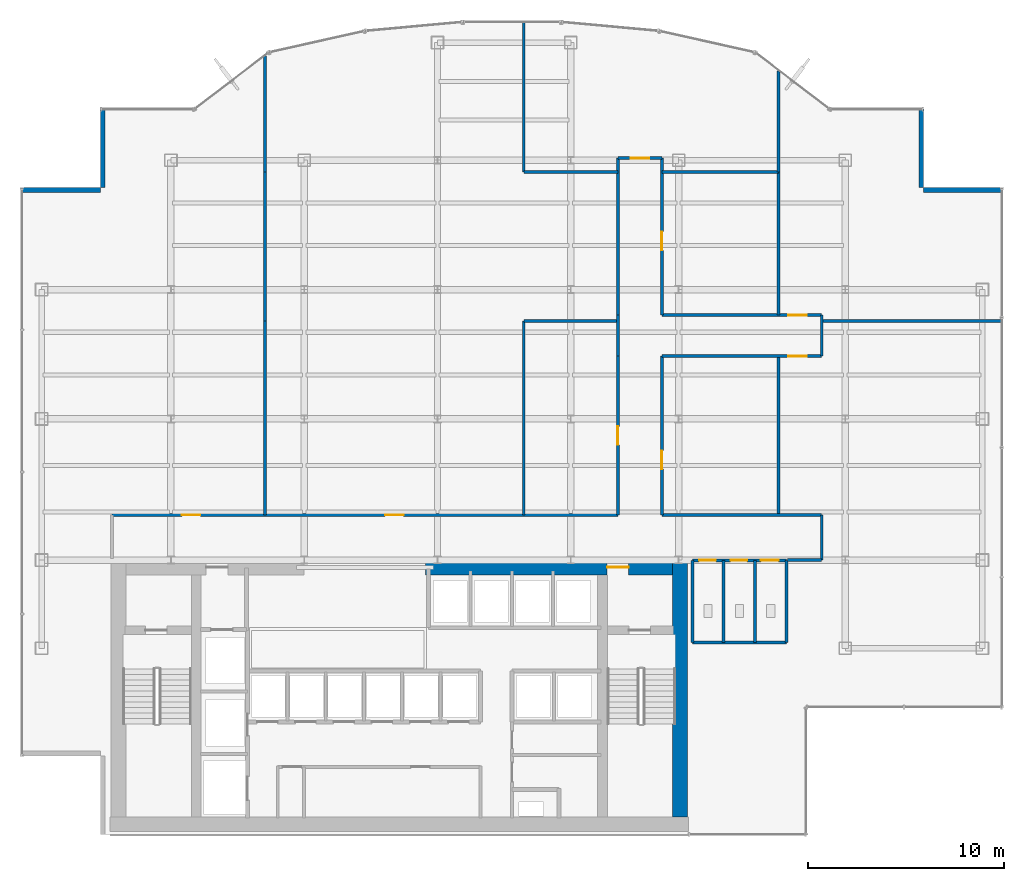
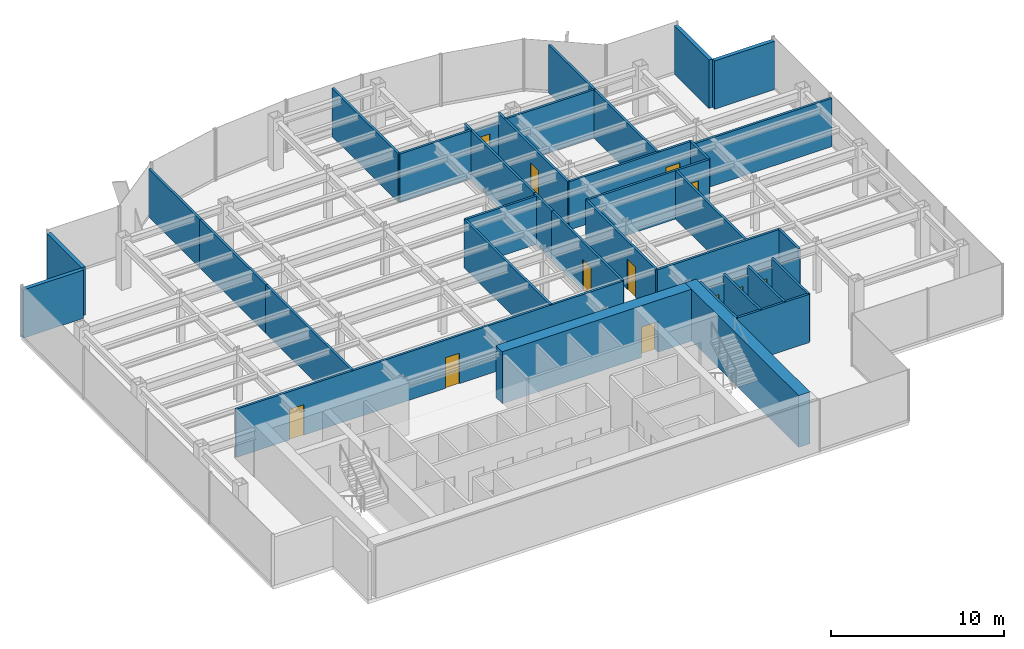
# One storey, part 21 of 25: 37 walls, 12 doors, 12 openings.
"""IFC4 building model written with IfcOpenShell, lengths in metres."""

from ifc_helpers import new_model, si_unit, derived_unit, direction, frame, frame_2d, origin, place, context, subcontext, project, spatial, rectangle, extrude, source, transform, mapped, material, layer, layer_set, type_object, element, fill, save


model = new_model("IFC4")

# Units and contexts
model_context = context("Model", 3, precision=1e-05, world=origin(), true_north=direction((0.0, 1.0)))
body_context = subcontext(model_context, "Body", "Model", "MODEL_VIEW")
ifc_project = project(units=[si_unit("LENGTHUNIT", "METRE"), si_unit("AREAUNIT", "SQUARE_METRE"), si_unit("VOLUMEUNIT", "CUBIC_METRE"), si_unit("PLANEANGLEUNIT", "RADIAN"), si_unit("MASSUNIT", "GRAM", prefix="KILO"), derived_unit("THERMALTRANSMITTANCEUNIT", [(si_unit("POWERUNIT", "WATT"), 1), (si_unit("LENGTHUNIT", "METRE"), -2), (si_unit("THERMODYNAMICTEMPERATUREUNIT", "KELVIN"), -1)])], contexts=[model_context])

# Site, building, storey
site_placement = place(None, origin())
site = spatial("IfcSite", under=ifc_project, at=site_placement, CompositionType="ELEMENT")
building_placement = place(site_placement, origin())
building = spatial("IfcBuilding", under=site, at=building_placement, Name="Skarnbrae Concourse Arena and Tower", CompositionType="ELEMENT")
storey_placement = place(building_placement, frame((0.0, 0.0, 166.14990234375)))
storey = spatial("IfcBuildingStorey", under=building, at=storey_placement, Name="L42", CompositionType="ELEMENT", Elevation=166.14990234375)

# Wall
ifc_material_1 = material(Name="Concrete 60 MPa (C60/75)", Category="concrete")
ifc_layer_1 = layer(ifc_material_1, 0.75)
ifc_layer_set_1 = layer_set([ifc_layer_1], Name="Concrete 60 MPa (C60/75)")
wall_type_1 = type_object("IfcWallType", Name="WALL-CORE-750-C60", PredefinedType="SHEAR", material=ifc_layer_set_1)
shared_shape_1 = source(origin(), body_context, "Body", "SweptSolid", [
    extrude(rectangle(XDim=13.10009765625, YDim=0.75, at=frame_2d((6.550048828125, 0.0))), origin(), (0.0, 0.0, 1.0), 3.650146484375),
])
wall_1_placement = place(storey_placement, frame((33.574951171875, 0.89990234375, 0.0), z_axis=(0.0, 0.0, 1.0), x_axis=(0.0, 1.0, 0.0)))
element("IfcWall", 1, at=wall_1_placement, inside=storey, type_object=wall_type_1, Name="L42 Rear core shear wall CW-E", PredefinedType="SHEAR", context=body_context, shape_type="MappedRepresentation", body=[
    mapped(shared_shape_1, transform((0.0, 0.0, 0.0))),
])

# Wall, opening, door
shared_shape_2 = source(origin(), body_context, "Body", "SweptSolid", [
    extrude(rectangle(XDim=12.599853515625, YDim=0.75, at=frame_2d((6.2998046875, 0.0))), origin(), (0.0, 0.0, 1.0), 3.650146484375),
])
wall_2_placement = place(storey_placement, frame((20.60009765625, 13.625, 0.0), z_axis=(0.0, 0.0, 1.0), x_axis=(1.0, 0.0, 0.0)))
wall_2 = element("IfcWall", 2, at=wall_2_placement, inside=storey, type_object=wall_type_1, Name="L42 Rear core shear wall CW-NE", PredefinedType="SHEAR", context=body_context, shape_type="MappedRepresentation", body=[
    mapped(shared_shape_2, transform((0.0, 0.0, 0.0))),
])
opening_1_placement = place(wall_2_placement, frame((9.25, 0.0, 0.0)))
opening_1 = element("IfcOpeningElement", 3, at=opening_1_placement, cuts=wall_2, Name="Opening DT-03", PredefinedType="OPENING", context=body_context, shape_type="SweptSolid", body=[
    extrude(rectangle(XDim=1.10009765625, YDim=2.14990234375, at=frame_2d((0.550048828125, 1.074951171875))), frame((0.0, 0.385009765625, 0.0), z_axis=(0.0, -1.0, 0.0), x_axis=(1.0, 0.0, 0.0)), (0.0, 0.0, 1.0), 0.77001953125),
])
ifc_material_2 = material(Name="Steel CSA G40.21 350W", Category="steel")
door_type_1 = type_object("IfcDoorType", Name="DOOR-FIRE-1100-90M", OperationType="NOTDEFINED", PredefinedType="DOOR", material=ifc_material_2)
shared_shape_3 = source(origin(), body_context, "Body", "SweptSolid", [
    extrude(rectangle(XDim=1.10009765625, YDim=2.14990234375, at=frame_2d((0.550048828125, 1.074951171875))), frame((0.0, 0.02490234375, 0.0), z_axis=(0.0, -1.0, 0.0), x_axis=(1.0, 0.0, 0.0)), (0.0, 0.0, 1.0), 0.050048828125),
])
door_1_placement = place(opening_1_placement, origin())
door_1 = element("IfcDoor", 4, at=door_1_placement, inside=storey, type_object=door_type_1, Name="D-1296 Stair ST-2 Vestibule Door", OperationType="SINGLE_SWING_LEFT", OverallHeight=2.14990234375, OverallWidth=1.10009765625, PredefinedType="DOOR", context=body_context, shape_type="MappedRepresentation", body=[
    mapped(shared_shape_3, transform((0.0, 0.0, 0.0))),
])
fill(opening_1, door_1)

# Walls
ifc_material_3 = material(Name="Precast concrete 40 MPa (C40/50)", Category="concrete")
ifc_layer_2 = layer(ifc_material_3, 0.25)
ifc_layer_set_2 = layer_set([ifc_layer_2], Name="Precast concrete 40 MPa (C40/50)")
wall_type_2 = type_object("IfcWallType", Name="WALL-EXT-SPANDREL-250", PredefinedType="STANDARD", material=ifc_layer_set_2)
shared_shape_4 = source(origin(), body_context, "Body", "SweptSolid", [
    extrude(rectangle(XDim=4.0, YDim=0.25, at=frame_2d((2.0, 0.0))), origin(), (0.0, 0.0, 1.0), 3.400146484375),
])
for number, where, z_axis, x_axis, name in (
    (5, (50.0, 32.875, 0.0), (0.0, 0.0, 1.0), (-1.0, 0.0, 0.0), "L42 Notched corner insulated return wall 05"),
    (6, (45.875, 33.0, 0.0), (0.0, 0.0, 1.0), (0.0, 1.0, 0.0), "L42 Notched corner insulated return wall 06"),
    (7, (4.125, 37.0, 0.0), (0.0, 0.0, 1.0), (0.0, -1.0, 0.0), "L42 Notched corner insulated return wall 16"),
    (8, (4.0, 32.875, 0.0), (0.0, 0.0, 1.0), (-1.0, 0.0, 0.0), "L42 Notched corner insulated return wall 17"),
):
    element("IfcWall", number, at=place(storey_placement, frame(where, z_axis=z_axis, x_axis=x_axis)), inside=storey, type_object=wall_type_2, Name=name, PredefinedType="STANDARD", context=body_context, shape_type="MappedRepresentation", body=[
        mapped(shared_shape_4, transform((0.0, 0.0, 0.0))),
    ])
ifc_material_4 = material(Name="Gypsum board on cold-formed steel studs", Category="steel")
ifc_layer_3 = layer(ifc_material_4, 0.14990234375)
ifc_layer_set_3 = layer_set([ifc_layer_3], Name="Gypsum board on cold-formed steel studs")
wall_type_3 = type_object("IfcWallType", Name="WALL-PART-150", PredefinedType="PARTITIONING", material=ifc_layer_set_3)
shared_shape_5 = source(origin(), body_context, "Body", "SweptSolid", [
    extrude(rectangle(XDim=4.800048828125, YDim=0.14990234375, at=frame_2d((2.39990234375, 0.0))), origin(), (0.0, 0.0, 1.0), 3.400146484375),
])
wall_3_placement = place(storey_placement, frame((34.199951171875, 9.800048828125, 0.0), z_axis=(0.0, 0.0, 1.0), x_axis=(1.0, 0.0, 0.0)))
element("IfcWall", 9, at=wall_3_placement, inside=storey, type_object=wall_type_3, Name="L42 Interior partition wall W-L42-WC-S", PredefinedType="PARTITIONING", context=body_context, shape_type="MappedRepresentation", body=[
    mapped(shared_shape_5, transform((0.0, 0.0, 0.0))),
])
shared_shape_6 = source(origin(), body_context, "Body", "SweptSolid", [
    extrude(rectangle(XDim=4.179931640625, YDim=0.14990234375, at=frame_2d((2.08984375, 0.0))), origin(), (0.0, 0.0, 1.0), 3.400146484375),
])
for number, where, z_axis, x_axis, name in (
    (10, (39.0, 9.800048828125, 0.0), (0.0, 0.0, 1.0), (0.0, 1.0, 0.0), "L42 Interior partition wall W-L42-WC-E"),
    (11, (34.199951171875, 9.800048828125, 0.0), (0.0, 0.0, 1.0), (0.0, 1.0, 0.0), "L42 Interior partition wall W-L42-WC-W"),
    (12, (35.800048828125, 9.800048828125, 0.0), (0.0, 0.0, 1.0), (0.0, 1.0, 0.0), "L42 Interior partition wall W-L42-WC-D1"),
    (13, (37.39990234375, 9.800048828125, 0.0), (0.0, 0.0, 1.0), (0.0, 1.0, 0.0), "L42 Interior partition wall W-L42-WC-D2"),
):
    element("IfcWall", number, at=place(storey_placement, frame(where, z_axis=z_axis, x_axis=x_axis)), inside=storey, type_object=wall_type_3, Name=name, PredefinedType="PARTITIONING", context=body_context, shape_type="MappedRepresentation", body=[
        mapped(shared_shape_6, transform((0.0, 0.0, 0.0))),
    ])
ifc_layer_4 = layer(ifc_material_4, 0.14990234375)
ifc_layer_set_4 = layer_set([ifc_layer_4], Name="Gypsum board on cold-formed steel studs")
wall_type_4 = type_object("IfcWallType", Name="WALL-PART-150-1HR", PredefinedType="PARTITIONING", material=ifc_layer_set_4)
shared_shape_7 = source(origin(), body_context, "Body", "SweptSolid", [
    extrude(rectangle(XDim=2.10009765625, YDim=0.14990234375, at=frame_2d((1.050048828125, 0.0))), origin(), (0.0, 0.0, 1.0), 3.400146484375),
])
for number, where, z_axis, x_axis, name in (
    (14, (30.39990234375, 24.39990234375, 0.0), (0.0, 0.0, 1.0), (0.0, 1.0, 0.0), "L42 Interior partition wall W-L42-COR-04"),
    (15, (40.800048828125, 26.5, 0.0), (0.0, 0.0, 1.0), (0.0, -1.0, 0.0), "L42 Interior partition wall W-L42-COR-09"),
):
    element("IfcWall", number, at=place(storey_placement, frame(where, z_axis=z_axis, x_axis=x_axis)), inside=storey, type_object=wall_type_4, Name=name, PredefinedType="PARTITIONING", context=body_context, shape_type="MappedRepresentation", body=[
        mapped(shared_shape_7, transform((0.0, 0.0, 0.0))),
    ])
shared_shape_8 = source(origin(), body_context, "Body", "SweptSolid", [
    extrude(rectangle(XDim=2.300048828125, YDim=0.14990234375, at=frame_2d((1.14990234375, 0.0))), origin(), (0.0, 0.0, 1.0), 3.400146484375),
])
wall_4_placement = place(storey_placement, frame((40.800048828125, 16.300048828125, 0.0), z_axis=(0.0, 0.0, 1.0), x_axis=(0.0, -1.0, 0.0)))
element("IfcWall", 16, at=wall_4_placement, inside=storey, type_object=wall_type_4, Name="L42 Interior partition wall W-L42-COR-13", PredefinedType="PARTITIONING", context=body_context, shape_type="MappedRepresentation", body=[
    mapped(shared_shape_8, transform((0.0, 0.0, 0.0))),
])

# Wall, openings, doors
shared_shape_9 = source(origin(), body_context, "Body", "SweptSolid", [
    extrude(rectangle(XDim=4.800048828125, YDim=0.14990234375, at=frame_2d((2.39990234375, 0.0))), origin(), (0.0, 0.0, 1.0), 2.760009765625),
])
wall_5_placement = place(storey_placement, frame((34.199951171875, 13.97998046875, 0.0), z_axis=(0.0, 0.0, 1.0), x_axis=(1.0, 0.0, 0.0)))
wall_5 = element("IfcWall", 17, at=wall_5_placement, inside=storey, type_object=wall_type_3, Name="L42 Interior partition wall W-L42-WC-N", PredefinedType="PARTITIONING", context=body_context, shape_type="MappedRepresentation", body=[
    mapped(shared_shape_9, transform((0.0, 0.0, 0.0))),
])
opening_2_placement = place(wall_5_placement, frame((0.35009765625, 0.0, 0.0)))
opening_2 = element("IfcOpeningElement", 18, at=opening_2_placement, cuts=wall_5, Name="Opening DT-06", PredefinedType="OPENING", context=body_context, shape_type="SweptSolid", body=[
    extrude(rectangle(XDim=0.85009765625, YDim=2.10009765625, at=frame_2d((0.425048828125, 1.050048828125))), frame((0.0, 0.0849609375, 0.0), z_axis=(0.0, -1.0, 0.0), x_axis=(1.0, 0.0, 0.0)), (0.0, 0.0, 1.0), 0.169921875),
])
opening_3_placement = place(wall_5_placement, frame((1.949951171875, 0.0, 0.0)))
opening_3 = element("IfcOpeningElement", 19, at=opening_3_placement, cuts=wall_5, Name="Opening DT-06", PredefinedType="OPENING", context=body_context, shape_type="SweptSolid", body=[
    extrude(rectangle(XDim=0.85009765625, YDim=2.10009765625, at=frame_2d((0.425048828125, 1.050048828125))), frame((0.0, 0.0849609375, 0.0), z_axis=(0.0, -1.0, 0.0), x_axis=(1.0, 0.0, 0.0)), (0.0, 0.0, 1.0), 0.169921875),
])
opening_4_placement = place(wall_5_placement, frame((3.5, 0.0, 0.0)))
opening_4 = element("IfcOpeningElement", 20, at=opening_4_placement, cuts=wall_5, Name="Opening DT-05", PredefinedType="OPENING", context=body_context, shape_type="SweptSolid", body=[
    extrude(rectangle(XDim=0.89990234375, YDim=2.10009765625, at=frame_2d((0.449951171875, 1.050048828125))), frame((0.0, 0.0849609375, 0.0), z_axis=(0.0, -1.0, 0.0), x_axis=(1.0, 0.0, 0.0)), (0.0, 0.0, 1.0), 0.169921875),
])
ifc_material_5 = material(Name="Architectural oak veneer timber leaf", Category="wood")
door_type_2 = type_object("IfcDoorType", Name="DOOR-INT-850", OperationType="NOTDEFINED", PredefinedType="DOOR", material=ifc_material_5)
shared_shape_10 = source(origin(), body_context, "Body", "SweptSolid", [
    extrude(rectangle(XDim=0.85009765625, YDim=2.10009765625, at=frame_2d((0.425048828125, 1.050048828125))), frame((0.0, 0.02490234375, 0.0), z_axis=(0.0, -1.0, 0.0), x_axis=(1.0, 0.0, 0.0)), (0.0, 0.0, 1.0), 0.050048828125),
])
door_2_placement = place(opening_2_placement, frame((0.85009765625, 0.0, 0.0), z_axis=(0.0, 0.0, 1.0), x_axis=(-1.0, 0.0, 0.0)))
door_2 = element("IfcDoor", 21, at=door_2_placement, inside=storey, type_object=door_type_2, Name="D-1310 Male Washroom Door", OperationType="SINGLE_SWING_LEFT", OverallHeight=2.10009765625, OverallWidth=0.85009765625, PredefinedType="DOOR", context=body_context, shape_type="MappedRepresentation", body=[
    mapped(shared_shape_10, transform((0.0, 0.0, 0.0))),
])
fill(opening_2, door_2)
door_3_placement = place(opening_3_placement, frame((0.85009765625, 0.0, 0.0), z_axis=(0.0, 0.0, 1.0), x_axis=(-1.0, 0.0, 0.0)))
door_3 = element("IfcDoor", 22, at=door_3_placement, inside=storey, type_object=door_type_2, Name="D-1311 Female Washroom Door", OperationType="SINGLE_SWING_RIGHT", OverallHeight=2.10009765625, OverallWidth=0.85009765625, PredefinedType="DOOR", context=body_context, shape_type="MappedRepresentation", body=[
    mapped(shared_shape_10, transform((0.0, 0.0, 0.0))),
])
fill(opening_3, door_3)
door_type_3 = type_object("IfcDoorType", Name="DOOR-INT-900", OperationType="NOTDEFINED", PredefinedType="DOOR", material=ifc_material_5)
shared_shape_11 = source(origin(), body_context, "Body", "SweptSolid", [
    extrude(rectangle(XDim=0.89990234375, YDim=2.10009765625, at=frame_2d((0.449951171875, 1.050048828125))), frame((0.0, 0.02490234375, 0.0), z_axis=(0.0, -1.0, 0.0), x_axis=(1.0, 0.0, 0.0)), (0.0, 0.0, 1.0), 0.050048828125),
])
door_4_placement = place(opening_4_placement, frame((0.89990234375, 0.0, 0.0), z_axis=(0.0, 0.0, 1.0), x_axis=(-1.0, 0.0, 0.0)))
door_4 = element("IfcDoor", 23, at=door_4_placement, inside=storey, type_object=door_type_3, Name="D-1312 Accessible WC Door", OperationType="SINGLE_SWING_LEFT", OverallHeight=2.10009765625, OverallWidth=0.89990234375, PredefinedType="DOOR", context=body_context, shape_type="MappedRepresentation", body=[
    mapped(shared_shape_11, transform((0.0, 0.0, 0.0))),
])
fill(opening_4, door_4)

# Wall
shared_shape_12 = source(origin(), body_context, "Body", "SweptSolid", [
    extrude(rectangle(XDim=1.75, YDim=0.14990234375, at=frame_2d((0.875, 0.0))), origin(), (0.0, 0.0, 1.0), 2.760009765625),
])
wall_6_placement = place(storey_placement, frame((40.800048828125, 14.0, 0.0), z_axis=(0.0, 0.0, 1.0), x_axis=(-1.0, 0.0, 0.0)))
element("IfcWall", 24, at=wall_6_placement, inside=storey, type_object=wall_type_4, Name="L42 Interior partition wall W-L42-COR-14", PredefinedType="PARTITIONING", context=body_context, shape_type="MappedRepresentation", body=[
    mapped(shared_shape_12, transform((0.0, 0.0, 0.0))),
])

# Wall, opening, door
shared_shape_13 = source(origin(), body_context, "Body", "SweptSolid", [
    extrude(rectangle(XDim=2.25, YDim=0.14990234375, at=frame_2d((1.125, 0.0))), origin(), (0.0, 0.0, 1.0), 2.760009765625),
])
wall_7_placement = place(storey_placement, frame((30.39990234375, 34.5, 0.0), z_axis=(0.0, 0.0, 1.0), x_axis=(1.0, 0.0, 0.0)))
wall_7 = element("IfcWall", 25, at=wall_7_placement, inside=storey, type_object=wall_type_4, Name="L42 Interior partition wall W-L42-COR-06", PredefinedType="PARTITIONING", context=body_context, shape_type="MappedRepresentation", body=[
    mapped(shared_shape_13, transform((0.0, 0.0, 0.0))),
])
opening_5_placement = place(wall_7_placement, frame((0.64990234375, 0.0, 0.0)))
opening_5 = element("IfcOpeningElement", 26, at=opening_5_placement, cuts=wall_7, Name="Opening DT-04", PredefinedType="OPENING", context=body_context, shape_type="SweptSolid", body=[
    extrude(rectangle(XDim=0.949951171875, YDim=2.14990234375, at=frame_2d((0.47509765625, 1.074951171875))), frame((0.0, 0.0849609375, 0.0), z_axis=(0.0, -1.0, 0.0), x_axis=(1.0, 0.0, 0.0)), (0.0, 0.0, 1.0), 0.169921875),
])
door_type_4 = type_object("IfcDoorType", Name="DOOR-INT-950-45M", OperationType="NOTDEFINED", PredefinedType="DOOR", material=ifc_material_2)
shared_shape_14 = source(origin(), body_context, "Body", "SweptSolid", [
    extrude(rectangle(XDim=0.949951171875, YDim=2.14990234375, at=frame_2d((0.47509765625, 1.074951171875))), frame((0.0, 0.02490234375, 0.0), z_axis=(0.0, -1.0, 0.0), x_axis=(1.0, 0.0, 0.0)), (0.0, 0.0, 1.0), 0.050048828125),
])
door_5_placement = place(opening_5_placement, origin())
door_5 = element("IfcDoor", 27, at=door_5_placement, inside=storey, type_object=door_type_4, Name="D-1316 L42 Suite Door 04", OperationType="SINGLE_SWING_LEFT", OverallHeight=2.14990234375, OverallWidth=0.949951171875, PredefinedType="DOOR", context=body_context, shape_type="MappedRepresentation", body=[
    mapped(shared_shape_14, transform((0.0, 0.0, 0.0))),
])
fill(opening_5, door_5)

# Wall, openings, doors
shared_shape_15 = source(origin(), body_context, "Body", "SweptSolid", [
    extrude(rectangle(XDim=25.7998046875, YDim=0.14990234375, at=frame_2d((12.89990234375, 0.0))), origin(), (0.0, 0.0, 1.0), 3.400146484375),
])
wall_8_placement = place(storey_placement, frame((4.60009765625, 16.300048828125, 0.0), z_axis=(0.0, 0.0, 1.0), x_axis=(1.0, 0.0, 0.0)))
wall_8 = element("IfcWall", 28, at=wall_8_placement, inside=storey, type_object=wall_type_4, Name="L42 Interior partition wall W-L42-COR-02", PredefinedType="PARTITIONING", context=body_context, shape_type="MappedRepresentation", body=[
    mapped(shared_shape_15, transform((0.0, 0.0, 0.0))),
])
opening_6_placement = place(wall_8_placement, frame((3.554931640625, 0.0, 0.0)))
opening_6 = element("IfcOpeningElement", 29, at=opening_6_placement, cuts=wall_8, Name="Opening DT-04", PredefinedType="OPENING", context=body_context, shape_type="SweptSolid", body=[
    extrude(rectangle(XDim=0.949951171875, YDim=2.14990234375, at=frame_2d((0.47509765625, 1.074951171875))), frame((0.0, 0.0849609375, 0.0), z_axis=(0.0, -1.0, 0.0), x_axis=(1.0, 0.0, 0.0)), (0.0, 0.0, 1.0), 0.169921875),
])
opening_7_placement = place(wall_8_placement, frame((13.925048828125, 0.0, 0.0)))
opening_7 = element("IfcOpeningElement", 30, at=opening_7_placement, cuts=wall_8, Name="Opening DT-04", PredefinedType="OPENING", context=body_context, shape_type="SweptSolid", body=[
    extrude(rectangle(XDim=0.949951171875, YDim=2.14990234375, at=frame_2d((0.47509765625, 1.074951171875))), frame((0.0, 0.0849609375, 0.0), z_axis=(0.0, -1.0, 0.0), x_axis=(1.0, 0.0, 0.0)), (0.0, 0.0, 1.0), 0.169921875),
])
door_6_placement = place(opening_6_placement, origin())
door_6 = element("IfcDoor", 31, at=door_6_placement, inside=storey, type_object=door_type_4, Name="D-1313 L42 Suite Door 01", OperationType="SINGLE_SWING_RIGHT", OverallHeight=2.14990234375, OverallWidth=0.949951171875, PredefinedType="DOOR", context=body_context, shape_type="MappedRepresentation", body=[
    mapped(shared_shape_14, transform((0.0, 0.0, 0.0))),
])
fill(opening_6, door_6)
door_7_placement = place(opening_7_placement, origin())
door_7 = element("IfcDoor", 32, at=door_7_placement, inside=storey, type_object=door_type_4, Name="D-1314 L42 Suite Door 02", OperationType="SINGLE_SWING_LEFT", OverallHeight=2.14990234375, OverallWidth=0.949951171875, PredefinedType="DOOR", context=body_context, shape_type="MappedRepresentation", body=[
    mapped(shared_shape_14, transform((0.0, 0.0, 0.0))),
])
fill(opening_7, door_7)

# Wall, opening, door
shared_shape_16 = source(origin(), body_context, "Body", "SweptSolid", [
    extrude(rectangle(XDim=8.099853515625, YDim=0.14990234375, at=frame_2d((4.0498046875, 0.0))), origin(), (0.0, 0.0, 1.0), 3.400146484375),
])
wall_9_placement = place(storey_placement, frame((30.39990234375, 16.300048828125, 0.0), z_axis=(0.0, 0.0, 1.0), x_axis=(0.0, 1.0, 0.0)))
wall_9 = element("IfcWall", 33, at=wall_9_placement, inside=storey, type_object=wall_type_4, Name="L42 Interior partition wall W-L42-COR-03", PredefinedType="PARTITIONING", context=body_context, shape_type="MappedRepresentation", body=[
    mapped(shared_shape_16, transform((0.0, 0.0, 0.0))),
])
opening_8_placement = place(wall_9_placement, frame((3.574951171875, 0.0, 0.0)))
opening_8 = element("IfcOpeningElement", 34, at=opening_8_placement, cuts=wall_9, Name="Opening DT-04", PredefinedType="OPENING", context=body_context, shape_type="SweptSolid", body=[
    extrude(rectangle(XDim=0.949951171875, YDim=2.14990234375, at=frame_2d((0.47509765625, 1.074951171875))), frame((0.0, 0.0849609375, 0.0), z_axis=(0.0, -1.0, 0.0), x_axis=(1.0, 0.0, 0.0)), (0.0, 0.0, 1.0), 0.169921875),
])
door_8_placement = place(opening_8_placement, origin())
door_8 = element("IfcDoor", 35, at=door_8_placement, inside=storey, type_object=door_type_4, Name="D-1315 L42 Suite Door 03", OperationType="SINGLE_SWING_RIGHT", OverallHeight=2.14990234375, OverallWidth=0.949951171875, PredefinedType="DOOR", context=body_context, shape_type="MappedRepresentation", body=[
    mapped(shared_shape_14, transform((0.0, 0.0, 0.0))),
])
fill(opening_8, door_8)

wall_10_placement = place(storey_placement, frame((32.64990234375, 24.39990234375, 0.0), z_axis=(0.0, 0.0, 1.0), x_axis=(0.0, -1.0, 0.0)))
wall_10 = element("IfcWall", 36, at=wall_10_placement, inside=storey, type_object=wall_type_4, Name="L42 Interior partition wall W-L42-COR-11", PredefinedType="PARTITIONING", context=body_context, shape_type="MappedRepresentation", body=[
    mapped(shared_shape_16, transform((0.0, 0.0, 0.0))),
])
opening_9_placement = place(wall_10_placement, frame((4.81201171875, 0.0, 0.0)))
opening_9 = element("IfcOpeningElement", 37, at=opening_9_placement, cuts=wall_10, Name="Opening DT-04", PredefinedType="OPENING", context=body_context, shape_type="SweptSolid", body=[
    extrude(rectangle(XDim=0.949951171875, YDim=2.14990234375, at=frame_2d((0.47509765625, 1.074951171875))), frame((0.0, 0.0849609375, 0.0), z_axis=(0.0, -1.0, 0.0), x_axis=(1.0, 0.0, 0.0)), (0.0, 0.0, 1.0), 0.169921875),
])
door_9_placement = place(opening_9_placement, origin())
door_9 = element("IfcDoor", 38, at=door_9_placement, inside=storey, type_object=door_type_4, Name="D-1317 L42 Suite Door 05", OperationType="SINGLE_SWING_RIGHT", OverallHeight=2.14990234375, OverallWidth=0.949951171875, PredefinedType="DOOR", context=body_context, shape_type="MappedRepresentation", body=[
    mapped(shared_shape_14, transform((0.0, 0.0, 0.0))),
])
fill(opening_9, door_9)

# Walls
wall_11_placement = place(storey_placement, frame((38.60009765625, 24.39990234375, 0.0), z_axis=(0.0, 0.0, 1.0), x_axis=(0.0, -1.0, 0.0)))
element("IfcWall", 39, at=wall_11_placement, inside=storey, type_object=wall_type_3, Name="L42 Interior partition wall W-L42-DEM-23", PredefinedType="PARTITIONING", context=body_context, shape_type="MappedRepresentation", body=[
    mapped(shared_shape_16, transform((0.0, 0.0, 0.0))),
])
shared_shape_17 = source(origin(), body_context, "Body", "SweptSolid", [
    extrude(rectangle(XDim=8.0, YDim=0.14990234375, at=frame_2d((4.0, 0.0))), origin(), (0.0, 0.0, 1.0), 3.400146484375),
])
wall_12_placement = place(storey_placement, frame((30.39990234375, 26.5, 0.0), z_axis=(0.0, 0.0, 1.0), x_axis=(0.0, 1.0, 0.0)))
element("IfcWall", 40, at=wall_12_placement, inside=storey, type_object=wall_type_4, Name="L42 Interior partition wall W-L42-COR-05", PredefinedType="PARTITIONING", context=body_context, shape_type="MappedRepresentation", body=[
    mapped(shared_shape_17, transform((0.0, 0.0, 0.0))),
])

# Wall, opening, door
wall_13_placement = place(storey_placement, frame((32.64990234375, 34.5, 0.0), z_axis=(0.0, 0.0, 1.0), x_axis=(0.0, -1.0, 0.0)))
wall_13 = element("IfcWall", 41, at=wall_13_placement, inside=storey, type_object=wall_type_4, Name="L42 Interior partition wall W-L42-COR-07", PredefinedType="PARTITIONING", context=body_context, shape_type="MappedRepresentation", body=[
    mapped(shared_shape_17, transform((0.0, 0.0, 0.0))),
])
opening_10_placement = place(wall_13_placement, frame((3.7451171875, 0.0, 0.0)))
opening_10 = element("IfcOpeningElement", 42, at=opening_10_placement, cuts=wall_13, Name="Opening DT-04", PredefinedType="OPENING", context=body_context, shape_type="SweptSolid", body=[
    extrude(rectangle(XDim=0.949951171875, YDim=2.14990234375, at=frame_2d((0.47509765625, 1.074951171875))), frame((0.0, 0.0849609375, 0.0), z_axis=(0.0, -1.0, 0.0), x_axis=(1.0, 0.0, 0.0)), (0.0, 0.0, 1.0), 0.169921875),
])
door_10_placement = place(opening_10_placement, origin())
door_10 = element("IfcDoor", 43, at=door_10_placement, inside=storey, type_object=door_type_4, Name="D-1318 L42 Suite Door 06", OperationType="SINGLE_SWING_LEFT", OverallHeight=2.14990234375, OverallWidth=0.949951171875, PredefinedType="DOOR", context=body_context, shape_type="MappedRepresentation", body=[
    mapped(shared_shape_14, transform((0.0, 0.0, 0.0))),
])
fill(opening_10, door_10)

shared_shape_18 = source(origin(), body_context, "Body", "SweptSolid", [
    extrude(rectangle(XDim=8.150146484375, YDim=0.14990234375, at=frame_2d((4.0751953125, 0.0))), origin(), (0.0, 0.0, 1.0), 3.400146484375),
])
wall_14_placement = place(storey_placement, frame((32.64990234375, 26.5, 0.0), z_axis=(0.0, 0.0, 1.0), x_axis=(1.0, 0.0, 0.0)))
wall_14 = element("IfcWall", 44, at=wall_14_placement, inside=storey, type_object=wall_type_4, Name="L42 Interior partition wall W-L42-COR-08", PredefinedType="PARTITIONING", context=body_context, shape_type="MappedRepresentation", body=[
    mapped(shared_shape_18, transform((0.0, 0.0, 0.0))),
])
opening_11_placement = place(wall_14_placement, frame((6.445068359375, 0.0, 0.0)))
opening_11 = element("IfcOpeningElement", 45, at=opening_11_placement, cuts=wall_14, Name="Opening DT-04", PredefinedType="OPENING", context=body_context, shape_type="SweptSolid", body=[
    extrude(rectangle(XDim=0.949951171875, YDim=2.14990234375, at=frame_2d((0.47509765625, 1.074951171875))), frame((0.0, 0.0849609375, 0.0), z_axis=(0.0, -1.0, 0.0), x_axis=(1.0, 0.0, 0.0)), (0.0, 0.0, 1.0), 0.169921875),
])
door_11_placement = place(opening_11_placement, origin())
door_11 = element("IfcDoor", 46, at=door_11_placement, inside=storey, type_object=door_type_4, Name="D-1320 L42 Suite Door 08", OperationType="SINGLE_SWING_LEFT", OverallHeight=2.14990234375, OverallWidth=0.949951171875, PredefinedType="DOOR", context=body_context, shape_type="MappedRepresentation", body=[
    mapped(shared_shape_14, transform((0.0, 0.0, 0.0))),
])
fill(opening_11, door_11)

wall_15_placement = place(storey_placement, frame((40.800048828125, 24.39990234375, 0.0), z_axis=(0.0, 0.0, 1.0), x_axis=(-1.0, 0.0, 0.0)))
wall_15 = element("IfcWall", 47, at=wall_15_placement, inside=storey, type_object=wall_type_4, Name="L42 Interior partition wall W-L42-COR-10", PredefinedType="PARTITIONING", context=body_context, shape_type="MappedRepresentation", body=[
    mapped(shared_shape_18, transform((0.0, 0.0, 0.0))),
])
opening_12_placement = place(wall_15_placement, frame((0.7548828125, 0.0, 0.0)))
opening_12 = element("IfcOpeningElement", 48, at=opening_12_placement, cuts=wall_15, Name="Opening DT-04", PredefinedType="OPENING", context=body_context, shape_type="SweptSolid", body=[
    extrude(rectangle(XDim=0.949951171875, YDim=2.14990234375, at=frame_2d((0.47509765625, 1.074951171875))), frame((0.0, 0.0849609375, 0.0), z_axis=(0.0, -1.0, 0.0), x_axis=(1.0, 0.0, 0.0)), (0.0, 0.0, 1.0), 0.169921875),
])
door_12_placement = place(opening_12_placement, origin())
door_12 = element("IfcDoor", 49, at=door_12_placement, inside=storey, type_object=door_type_4, Name="D-1319 L42 Suite Door 07", OperationType="SINGLE_SWING_RIGHT", OverallHeight=2.14990234375, OverallWidth=0.949951171875, PredefinedType="DOOR", context=body_context, shape_type="MappedRepresentation", body=[
    mapped(shared_shape_14, transform((0.0, 0.0, 0.0))),
])
fill(opening_12, door_12)

# Walls
wall_16_placement = place(storey_placement, frame((32.64990234375, 16.300048828125, 0.0), z_axis=(0.0, 0.0, 1.0), x_axis=(1.0, 0.0, 0.0)))
element("IfcWall", 50, at=wall_16_placement, inside=storey, type_object=wall_type_4, Name="L42 Interior partition wall W-L42-COR-12", PredefinedType="PARTITIONING", context=body_context, shape_type="MappedRepresentation", body=[
    mapped(shared_shape_18, transform((0.0, 0.0, 0.0))),
])
shared_shape_19 = source(origin(), body_context, "Body", "SweptSolid", [
    extrude(rectangle(XDim=5.922119140625, YDim=0.14990234375, at=frame_2d((2.9609375, 0.0))), origin(), (0.0, 0.0, 1.0), 3.400146484375),
])
wall_17_placement = place(storey_placement, frame((12.39990234375, 39.72216796875, 0.0), z_axis=(0.0, 0.0, 1.0), x_axis=(0.0, -1.0, 0.0)))
element("IfcWall", 51, at=wall_17_placement, inside=storey, type_object=wall_type_3, Name="L42 Interior partition wall W-L42-DEM-15", PredefinedType="PARTITIONING", context=body_context, shape_type="MappedRepresentation", body=[
    mapped(shared_shape_19, transform((0.0, 0.0, 0.0))),
])
shared_shape_20 = source(origin(), body_context, "Body", "SweptSolid", [
    extrude(rectangle(XDim=7.60009765625, YDim=0.14990234375, at=frame_2d((3.800048828125, 0.0))), origin(), (0.0, 0.0, 1.0), 3.400146484375),
])
wall_18_placement = place(storey_placement, frame((12.39990234375, 33.800048828125, 0.0), z_axis=(0.0, 0.0, 1.0), x_axis=(0.0, -1.0, 0.0)))
element("IfcWall", 52, at=wall_18_placement, inside=storey, type_object=wall_type_3, Name="L42 Interior partition wall W-L42-DEM-16", PredefinedType="PARTITIONING", context=body_context, shape_type="MappedRepresentation", body=[
    mapped(shared_shape_20, transform((0.0, 0.0, 0.0))),
])
shared_shape_21 = source(origin(), body_context, "Body", "SweptSolid", [
    extrude(rectangle(XDim=9.89990234375, YDim=0.14990234375, at=frame_2d((4.949951171875, 0.0))), origin(), (0.0, 0.0, 1.0), 3.400146484375),
])
for number, where, z_axis, x_axis, name in (
    (53, (12.39990234375, 26.199951171875, 0.0), (0.0, 0.0, 1.0), (0.0, -1.0, 0.0), "L42 Interior partition wall W-L42-DEM-17"),
    (54, (25.60009765625, 26.199951171875, 0.0), (0.0, 0.0, 1.0), (0.0, -1.0, 0.0), "L42 Interior partition wall W-L42-DEM-19"),
):
    element("IfcWall", number, at=place(storey_placement, frame(where, z_axis=z_axis, x_axis=x_axis)), inside=storey, type_object=wall_type_3, Name=name, PredefinedType="PARTITIONING", context=body_context, shape_type="MappedRepresentation", body=[
        mapped(shared_shape_21, transform((0.0, 0.0, 0.0))),
    ])
shared_shape_22 = source(origin(), body_context, "Body", "SweptSolid", [
    extrude(rectangle(XDim=4.7998046875, YDim=0.14990234375, at=frame_2d((2.39990234375, 0.0))), origin(), (0.0, 0.0, 1.0), 3.400146484375),
])
for number, where, z_axis, x_axis, name in (
    (55, (30.39990234375, 26.199951171875, 0.0), (0.0, 0.0, 1.0), (-1.0, 0.0, 0.0), "L42 Interior partition wall W-L42-DEM-18"),
    (56, (25.60009765625, 33.800048828125, 0.0), (0.0, 0.0, 1.0), (1.0, 0.0, 0.0), "L42 Interior partition wall W-L42-DEM-21"),
):
    element("IfcWall", number, at=place(storey_placement, frame(where, z_axis=z_axis, x_axis=x_axis)), inside=storey, type_object=wall_type_3, Name=name, PredefinedType="PARTITIONING", context=body_context, shape_type="MappedRepresentation", body=[
        mapped(shared_shape_22, transform((0.0, 0.0, 0.0))),
    ])
shared_shape_23 = source(origin(), body_context, "Body", "SweptSolid", [
    extrude(rectangle(XDim=7.62548828125, YDim=0.14990234375, at=frame_2d((3.812744140625, 0.0))), origin(), (0.0, 0.0, 1.0), 3.400146484375),
])
wall_19_placement = place(storey_placement, frame((25.60009765625, 41.425537109375, 0.0), z_axis=(0.0, 0.0, 1.0), x_axis=(0.0, -1.0, 0.0)))
element("IfcWall", 57, at=wall_19_placement, inside=storey, type_object=wall_type_3, Name="L42 Interior partition wall W-L42-DEM-20", PredefinedType="PARTITIONING", context=body_context, shape_type="MappedRepresentation", body=[
    mapped(shared_shape_23, transform((0.0, 0.0, 0.0))),
])
shared_shape_24 = source(origin(), body_context, "Body", "SweptSolid", [
    extrude(rectangle(XDim=5.9501953125, YDim=0.14990234375, at=frame_2d((2.97509765625, 0.0))), origin(), (0.0, 0.0, 1.0), 3.400146484375),
])
wall_20_placement = place(storey_placement, frame((38.60009765625, 33.800048828125, 0.0), z_axis=(0.0, 0.0, 1.0), x_axis=(-1.0, 0.0, 0.0)))
element("IfcWall", 58, at=wall_20_placement, inside=storey, type_object=wall_type_3, Name="L42 Interior partition wall W-L42-DEM-22", PredefinedType="PARTITIONING", context=body_context, shape_type="MappedRepresentation", body=[
    mapped(shared_shape_24, transform((0.0, 0.0, 0.0))),
])
shared_shape_25 = source(origin(), body_context, "Body", "SweptSolid", [
    extrude(rectangle(XDim=7.300048828125, YDim=0.14990234375, at=frame_2d((3.64990234375, 0.0))), origin(), (0.0, 0.0, 1.0), 3.400146484375),
])
wall_21_placement = place(storey_placement, frame((38.60009765625, 33.800048828125, 0.0), z_axis=(0.0, 0.0, 1.0), x_axis=(0.0, -1.0, 0.0)))
element("IfcWall", 59, at=wall_21_placement, inside=storey, type_object=wall_type_3, Name="L42 Interior partition wall W-L42-DEM-24", PredefinedType="PARTITIONING", context=body_context, shape_type="MappedRepresentation", body=[
    mapped(shared_shape_25, transform((0.0, 0.0, 0.0))),
])
shared_shape_26 = source(origin(), body_context, "Body", "SweptSolid", [
    extrude(rectangle(XDim=5.158935546875, YDim=0.14990234375, at=frame_2d((2.57958984375, 0.0))), origin(), (0.0, 0.0, 1.0), 3.400146484375),
])
wall_22_placement = place(storey_placement, frame((38.60009765625, 38.958984375, 0.0), z_axis=(0.0, 0.0, 1.0), x_axis=(0.0, -1.0, 0.0)))
element("IfcWall", 60, at=wall_22_placement, inside=storey, type_object=wall_type_3, Name="L42 Interior partition wall W-L42-DEM-25", PredefinedType="PARTITIONING", context=body_context, shape_type="MappedRepresentation", body=[
    mapped(shared_shape_26, transform((0.0, 0.0, 0.0))),
])
shared_shape_27 = source(origin(), body_context, "Body", "SweptSolid", [
    extrude(rectangle(XDim=9.179931640625, YDim=0.14990234375, at=frame_2d((4.58984375, 0.0))), origin(), (0.0, 0.0, 1.0), 3.400146484375),
])
wall_23_placement = place(storey_placement, frame((40.800048828125, 26.199951171875, 0.0), z_axis=(0.0, 0.0, 1.0), x_axis=(1.0, 0.0, 0.0)))
element("IfcWall", 61, at=wall_23_placement, inside=storey, type_object=wall_type_3, Name="L42 Interior partition wall W-L42-DEM-26", PredefinedType="PARTITIONING", context=body_context, shape_type="MappedRepresentation", body=[
    mapped(shared_shape_27, transform((0.0, 0.0, 0.0))),
])

save(model, "model.ifc")
